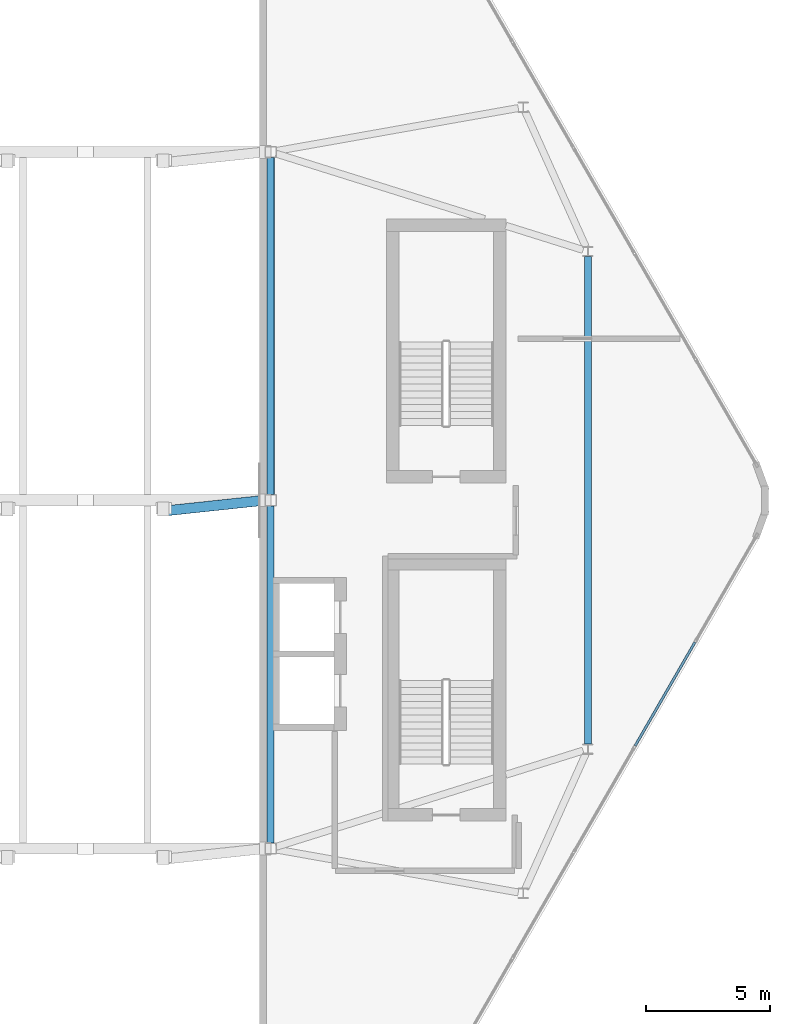
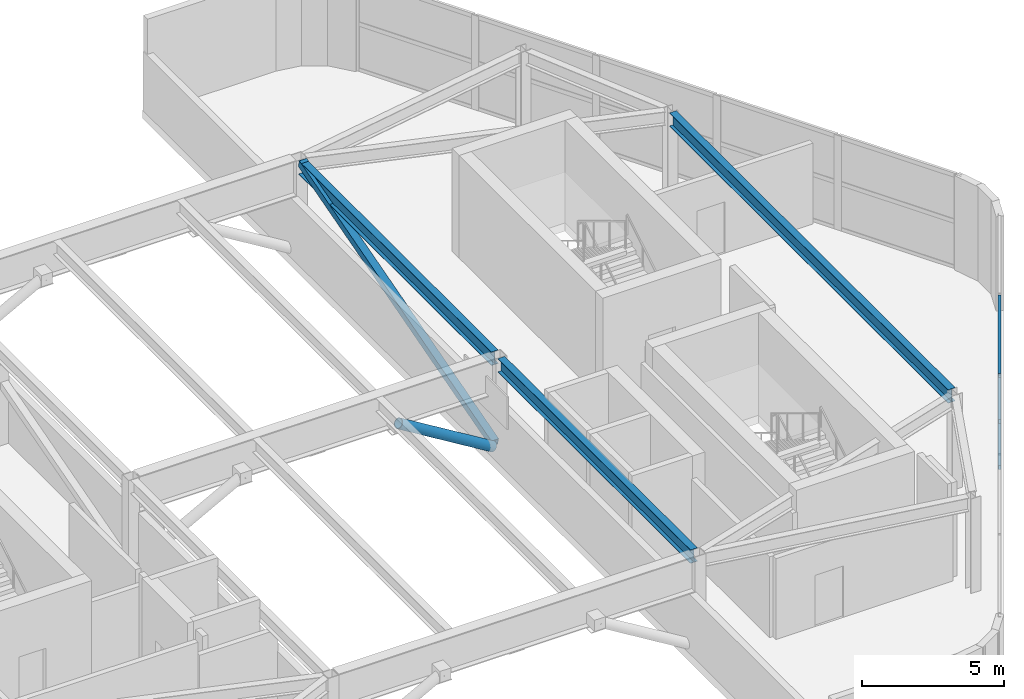
# One storey, part 8 of 16: 5 members, 3 beams, 1 element without a shape of its own.
"""IFC4 building model written with IfcOpenShell, lengths in metres."""

from ifc_helpers import new_model, si_unit, direction, frame, origin, origin_2d, place, context, subcontext, project, spatial, hollow_rectangle, hollow_circle, i_section, extrude, material, material_profile, profile_set, type_object, element, aggregate, save


model = new_model("IFC4")

# Units and contexts
model_context = context("Model", 3, precision=1e-05, world=origin(), true_north=direction((0.0, 1.0)))
body_context = subcontext(model_context, "Body", "Model", "MODEL_VIEW")
ifc_project = project(units=[si_unit("LENGTHUNIT", "METRE"), si_unit("AREAUNIT", "SQUARE_METRE"), si_unit("VOLUMEUNIT", "CUBIC_METRE"), si_unit("PLANEANGLEUNIT", "RADIAN"), si_unit("MASSUNIT", "GRAM", prefix="KILO")], contexts=[model_context])

# Site, building, storey
site_placement = place(None, origin())
site = spatial("IfcSite", under=ifc_project, at=site_placement, CompositionType="ELEMENT")
building_placement = place(site_placement, origin())
building = spatial("IfcBuilding", under=site, at=building_placement, Name="Zuhravey Tower", CompositionType="ELEMENT")
storey_placement = place(building_placement, frame((0.0, 0.0, 374.60009765625)))
storey = spatial("IfcBuildingStorey", under=building, at=storey_placement, Name="L95", CompositionType="ELEMENT", Elevation=374.60009765625)

# Member
ifc_material_1 = material(Name="Steel SM355", Category="steel")
ifc_material_profile_1 = material_profile(ifc_material_1, hollow_rectangle(XDim=0.300048828125, YDim=0.300048828125, WallThickness=0.01611328125, at=origin_2d()), Name="RHS-300x300x16")
ifc_profile_set_1 = profile_set([ifc_material_profile_1], Name="Steel SM355")
member_type_1 = type_object("IfcMemberType", Name="Crown Frame Strut RHS300x300", PredefinedType="STRUT", material=ifc_profile_set_1)
member_1_placement = place(storey_placement, frame((43.449951171875, 32.249267578125, 0.10546875), z_axis=(0.0, 0.961874959952, 0.2734896002), x_axis=(-1.0, 0.0, 0.0)))
element("IfcMember", 1, at=member_1_placement, inside=storey, type_object=member_type_1, Name="L95 East Crest Portal Frame Strut CFS1", PredefinedType="STRUT", context=body_context, shape_type="SweptSolid", body=[
    extrude(hollow_rectangle(XDim=0.300048828125, YDim=0.300048828125, WallThickness=0.01611328125, at=origin_2d()), origin(), (0.0, 0.0, 1.0), 14.03662109375),
])

# Beams
ifc_material_profile_2 = material_profile(ifc_material_1, i_section(OverallWidth=0.280029296875, OverallDepth=0.580078125, WebThickness=0.011962890625, FlangeThickness=0.01904296875, at=origin_2d()), Name="H-580x280x12x19")
ifc_profile_set_2 = profile_set([ifc_material_profile_2], Name="Steel SM355")
beam_type = type_object("IfcBeamType", Name="Perimeter Ring Beam H580x280", PredefinedType="BEAM", material=ifc_profile_set_2)
beam_placement = place(storey_placement, frame((56.199951171875, 22.2041015625, 3.760009765625), z_axis=(0.0, 1.0, 0.0), x_axis=(-1.0, 0.0, 0.0)))
element("IfcBeam", 2, at=beam_placement, inside=storey, type_object=beam_type, Name="L95 PB4 BM-L95-ECR-0-1", PredefinedType="BEAM", context=body_context, shape_type="SweptSolid", body=[
    extrude(i_section(OverallWidth=0.280029296875, OverallDepth=0.580078125, WebThickness=0.011962890625, FlangeThickness=0.01904296875, at=origin_2d()), origin(), (0.0, 0.0, 1.0), 19.591796875),
])
for number, where, z_axis, x_axis, name in (
    (3, (43.449951171875, 18.22900390625, 3.760009765625), (0.0, 1.0, 0.0), (-1.0, 0.0, 0.0), "L95 PB4 BM-L95-ECR-4-5"),
    (4, (43.449951171875, 32.22900390625, 3.760009765625), (0.0, 1.0, 0.0), (-1.0, 0.0, 0.0), "L95 PB4 BM-L95-ECR-5-6"),
):
    element("IfcBeam", number, at=place(storey_placement, frame(where, z_axis=z_axis, x_axis=x_axis)), inside=storey, type_object=beam_type, Name=name, PredefinedType="BEAM", context=body_context, shape_type="SweptSolid", body=[
        extrude(i_section(OverallWidth=0.280029296875, OverallDepth=0.580078125, WebThickness=0.011962890625, FlangeThickness=0.01904296875, at=origin_2d()), origin(), (0.0, 0.0, 1.0), 13.5419921875),
    ])

# Curtain wall, members
ifc_material_2 = material(Name="Thermally broken anodised aluminium", Category="aluminium")
curtain_wall_type = type_object("IfcCurtainWallType", Name="Split-Top Crown Screened Curtain Wall CW6", PredefinedType="NOTDEFINED", material=ifc_material_2)
curtain_wall_placement = place(storey_placement, origin())
curtain_wall = element("IfcCurtainWall", 5, at=curtain_wall_placement, inside=storey, type_object=curtain_wall_type, Name="L95 CW6 CW6-L95-EAST-08", PredefinedType="NOTDEFINED")
ifc_material_3 = material(Name="Anodised aluminium", Category="aluminium")
ifc_material_profile_3 = material_profile(ifc_material_3, hollow_rectangle(XDim=0.10009765625, YDim=0.179931640625, WallThickness=0.006103515625, at=origin_2d()), Name="ALU-RHS-100x180x6")
ifc_profile_set_3 = profile_set([ifc_material_profile_3], Name="Anodised aluminium")
member_type_2 = type_object("IfcMemberType", Name="Tall-Storey Transom 100x180", PredefinedType="USERDEFINED", material=ifc_profile_set_3)
member_2_placement = place(storey_placement, frame((60.503173828125, 26.29248046875, 0.0498046875), z_axis=(-0.50003466983, -0.866005386223, 0.0), x_axis=(0.866005386223, -0.50003466983, 0.0)))
member_2 = element("IfcMember", 6, at=member_2_placement, type_object=member_type_2, Name="CW6 transom 2.1", ObjectType="TRANSOM", PredefinedType="USERDEFINED", context=body_context, shape_type="SweptSolid", body=[
    extrude(hollow_rectangle(XDim=0.10009765625, YDim=0.179931640625, WallThickness=0.006103515625, at=origin_2d()), origin(), (0.0, 0.0, 1.0), 4.805908203125),
])
member_3_placement = place(storey_placement, frame((60.503173828125, 26.29248046875, 2.02490234375), z_axis=(-0.50003466983, -0.866005386223, 0.0), x_axis=(0.866005386223, -0.50003466983, 0.0)))
member_3 = element("IfcMember", 7, at=member_3_placement, type_object=member_type_2, Name="CW6 transom 2.2", ObjectType="TRANSOM", PredefinedType="USERDEFINED", context=body_context, shape_type="SweptSolid", body=[
    extrude(hollow_rectangle(XDim=0.10009765625, YDim=0.179931640625, WallThickness=0.006103515625, at=origin_2d()), origin(), (0.0, 0.0, 1.0), 4.805908203125),
])
member_4_placement = place(storey_placement, frame((60.503173828125, 26.29248046875, 4.0), z_axis=(-0.50003466983, -0.866005386223, 0.0), x_axis=(0.866005386223, -0.50003466983, 0.0)))
member_4 = element("IfcMember", 8, at=member_4_placement, type_object=member_type_2, Name="CW6 transom 2.3", ObjectType="TRANSOM", PredefinedType="USERDEFINED", context=body_context, shape_type="SweptSolid", body=[
    extrude(hollow_rectangle(XDim=0.10009765625, YDim=0.179931640625, WallThickness=0.006103515625, at=origin_2d()), origin(), (0.0, 0.0, 1.0), 4.805908203125),
])
aggregate(curtain_wall, [member_2, member_3, member_4])

# Member
ifc_material_profile_4 = material_profile(ifc_material_1, hollow_circle(Radius=0.203125, WallThickness=0.02001953125, at=origin_2d()), Name="CHS-406.4x20")
ifc_profile_set_4 = profile_set([ifc_material_profile_4], Name="Steel SM355")
member_type_3 = type_object("IfcMemberType", Name="Wind-Portal Arch Brace CHS406x20", PredefinedType="BRACE", material=ifc_profile_set_4)
member_5_placement = place(storey_placement, frame((43.21923828125, 31.999755859375, 0.180908203125), z_axis=(-0.831960983214, -0.088484176355, 0.547733030723), x_axis=(0.105759685753, -0.994391718021, 0.0)))
element("IfcMember", 9, at=member_5_placement, inside=storey, type_object=member_type_3, Name="L95 Wind-Portal Arch Brace WPB1-2E", PredefinedType="BRACE", context=body_context, shape_type="SweptSolid", body=[
    extrude(hollow_circle(Radius=0.203125, WallThickness=0.02001953125, at=origin_2d()), origin(), (0.0, 0.0, 1.0), 4.88916015625),
])

save(model, "model.ifc")
